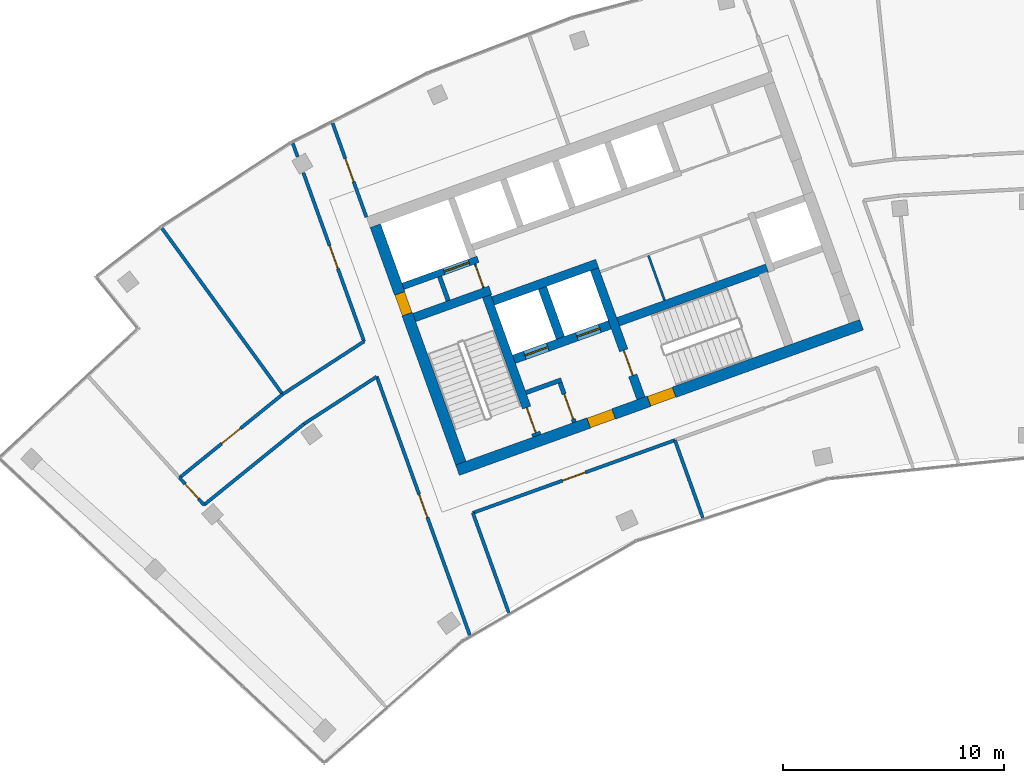
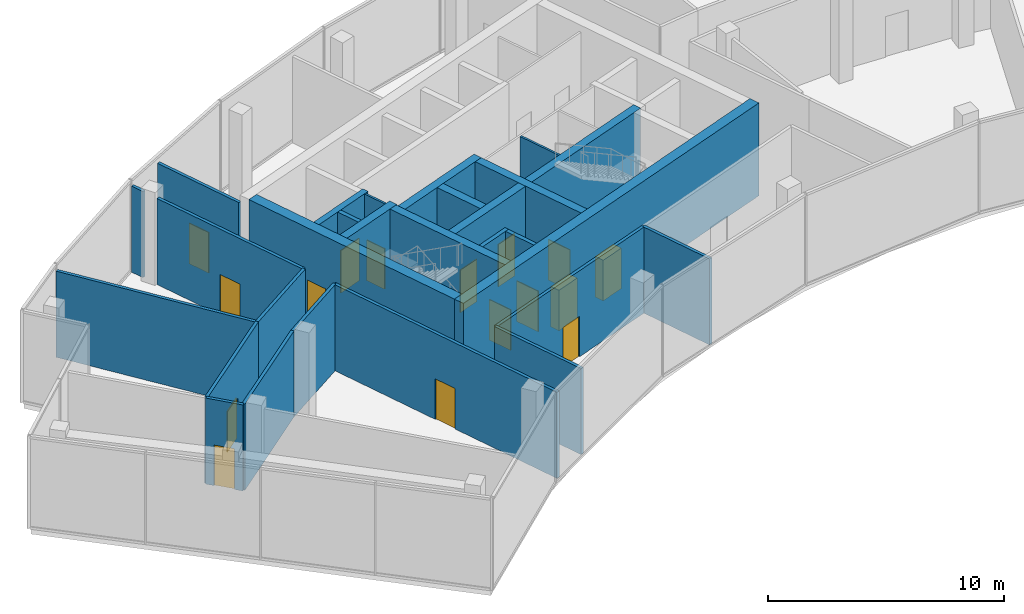
# One storey, part 12 of 17: 27 walls, 16 doors, 16 openings.
"""IFC4 building model written with IfcOpenShell, lengths in metres."""

from ifc_helpers import new_model, si_unit, direction, frame, frame_2d, origin, place, context, subcontext, project, spatial, rectangle, extrude, material, layer, layer_set, type_object, element, fill, save


model = new_model("IFC4")

# Units and contexts
model_context = context("Model", 3, precision=1e-05, world=origin(), true_north=direction((0.0, 1.0)))
body_context = subcontext(model_context, "Body", "Model", "MODEL_VIEW")
ifc_project = project(units=[si_unit("LENGTHUNIT", "METRE"), si_unit("AREAUNIT", "SQUARE_METRE"), si_unit("VOLUMEUNIT", "CUBIC_METRE"), si_unit("PLANEANGLEUNIT", "RADIAN"), si_unit("MASSUNIT", "GRAM", prefix="KILO")], contexts=[model_context])

# Site, building, storey
site_placement = place(None, origin())
site = spatial("IfcSite", under=ifc_project, at=site_placement, CompositionType="ELEMENT")
building_placement = place(site_placement, origin())
building = spatial("IfcBuilding", under=site, at=building_placement, Name="Stone Belt Terrace Tower", CompositionType="ELEMENT")
storey_placement = place(building_placement, frame((0.0, 0.0, 313.39990234375)))
storey = spatial("IfcBuildingStorey", under=building, at=storey_placement, Name="L76", CompositionType="ELEMENT", Elevation=313.39990234375)

# Wall, opening, door
ifc_material_1 = material(Name="Plasterboard partition")
ifc_layer_1 = layer(ifc_material_1, 0.10009765625)
ifc_layer_set_1 = layer_set([ifc_layer_1], Name="Core partition 100")
wall_type_1 = type_object("IfcWallType", Name="Core partition 100", PredefinedType="PARTITIONING", material=ifc_layer_set_1)
wall_1_placement = place(storey_placement, frame((-24.555908203125, 51.10400390625, 0.0), z_axis=(0.0, 0.0, 1.0), x_axis=(-0.338621735342, 0.94092258999, 0.0)))
wall_1 = element("IfcWall", 1, at=wall_1_placement, inside=storey, type_object=wall_type_1, Name="Core A wall", PredefinedType="PARTITIONING", context=body_context, shape_type="SweptSolid", body=[
    extrude(rectangle(XDim=1.14990234375, YDim=0.10009765625, at=frame_2d((0.574951171875, 0.0))), origin(), (0.0, 0.0, 1.0), 4.4501953125),
])
opening_1_placement = place(wall_1_placement, frame((0.050048828125, 0.0, 0.0)))
opening_1 = element("IfcOpeningElement", 2, at=opening_1_placement, cuts=wall_1, Name="Opening L76-C07", PredefinedType="OPENING", context=body_context, shape_type="SweptSolid", body=[
    extrude(rectangle(XDim=1.0, YDim=2.10009765625, at=frame_2d((0.5, 1.050048828125))), frame((0.0, 0.06005859375, 0.0), z_axis=(0.0, -1.0, 0.0), x_axis=(1.0, 0.0, 0.0)), (0.0, 0.0, 1.0), 0.1201171875),
])
ifc_material_2 = material(Name="Timber door leaf", Category="wood")
door_type_1 = type_object("IfcDoorType", Name="Core room door 1000", OperationType="SINGLE_SWING_LEFT", PredefinedType="DOOR", material=ifc_material_2)
door_1_placement = place(opening_1_placement, origin())
door_1 = element("IfcDoor", 3, at=door_1_placement, inside=storey, type_object=door_type_1, Name="Service lift lobby door core A", OperationType="SINGLE_SWING_RIGHT", OverallHeight=2.10009765625, OverallWidth=1.0, PredefinedType="DOOR", context=body_context, shape_type="SweptSolid", body=[
    extrude(rectangle(XDim=1.0, YDim=2.10009765625, at=frame_2d((0.5, 1.050048828125))), frame((0.0, 0.02490234375, 0.0), z_axis=(0.0, -1.0, 0.0), x_axis=(1.0, 0.0, 0.0)), (0.0, 0.0, 1.0), 0.050048828125),
])
fill(opening_1, door_1)

# Wall
wall_2_placement = place(storey_placement, frame((-16.38134765625, 50.53857421875, 0.0), z_axis=(0.0, 0.0, 1.0), x_axis=(-0.338622960269, 0.940922149159, 0.0)))
element("IfcWall", 4, at=wall_2_placement, inside=storey, type_object=wall_type_1, Name="Core A wall", PredefinedType="PARTITIONING", context=body_context, shape_type="SweptSolid", body=[
    extrude(rectangle(XDim=2.14990234375, YDim=0.10009765625, at=frame_2d((1.074951171875, 0.0))), origin(), (0.0, 0.0, 1.0), 4.4501953125),
])

# Wall, openings, doors
ifc_material_3 = material(Name="Concrete B60", Category="concrete")
ifc_layer_2 = layer(ifc_material_3, 0.5)
ifc_layer_set_2 = layer_set([ifc_layer_2], Name="Core wall 500 B60")
wall_type_2 = type_object("IfcWallType", Name="Core wall 500 B60", PredefinedType="SHEAR", material=ifc_layer_set_2)
wall_3_placement = place(storey_placement, frame((-25.736572265625, 42.867431640625, 0.0), z_axis=(0.0, 0.0, 1.0), x_axis=(0.940917407757, 0.338636134781, 0.0)))
wall_3 = element("IfcWall", 5, at=wall_3_placement, inside=storey, type_object=wall_type_2, Name="Core A wall concave L76", PredefinedType="SHEAR", context=body_context, shape_type="SweptSolid", body=[
    extrude(rectangle(XDim=19.400146484375, YDim=0.5, at=frame_2d((9.7001953125, 0.0))), origin(), (0.0, 0.0, 1.0), 4.800048828125),
])
opening_2_placement = place(wall_3_placement, frame((6.300048828125, 0.0, 0.0)))
opening_2 = element("IfcOpeningElement", 6, at=opening_2_placement, cuts=wall_3, Name="Opening L76-C11", PredefinedType="OPENING", context=body_context, shape_type="SweptSolid", body=[
    extrude(rectangle(XDim=1.199951171875, YDim=2.10009765625, at=frame_2d((0.60009765625, 1.050048828125))), frame((0.0, 0.260009765625, 0.0), z_axis=(0.0, -1.0, 0.0), x_axis=(1.0, 0.0, 0.0)), (0.0, 0.0, 1.0), 0.52001953125),
])
opening_3_placement = place(wall_3_placement, frame((9.2001953125, 0.0, 0.0)))
opening_3 = element("IfcOpeningElement", 7, at=opening_3_placement, cuts=wall_3, Name="Opening L76-C13", PredefinedType="OPENING", context=body_context, shape_type="SweptSolid", body=[
    extrude(rectangle(XDim=1.199951171875, YDim=2.10009765625, at=frame_2d((0.60009765625, 1.050048828125))), frame((0.0, 0.260009765625, 0.0), z_axis=(0.0, -1.0, 0.0), x_axis=(1.0, 0.0, 0.0)), (0.0, 0.0, 1.0), 0.52001953125),
])
ifc_material_4 = material(Name="Steel door leaf", Category="steel")
door_type_2 = type_object("IfcDoorType", Name="Fire-fighting lobby door 1200", OperationType="SINGLE_SWING_LEFT", PredefinedType="DOOR", material=ifc_material_4)
door_2_placement = place(opening_2_placement, origin())
door_2 = element("IfcDoor", 8, at=door_2_placement, inside=storey, type_object=door_type_2, Name="Fire-fighting lobby door core A", OperationType="SINGLE_SWING_RIGHT", OverallHeight=2.10009765625, OverallWidth=1.199951171875, PredefinedType="DOOR", context=body_context, shape_type="SweptSolid", body=[
    extrude(rectangle(XDim=1.199951171875, YDim=2.10009765625, at=frame_2d((0.60009765625, 1.050048828125))), frame((0.0, 0.22998046875, 0.0), z_axis=(0.0, -1.0, 0.0), x_axis=(1.0, 0.0, 0.0)), (0.0, 0.0, 1.0), 0.4599609375),
])
fill(opening_2, door_2)
door_type_3 = type_object("IfcDoorType", Name="Stair door 1200", OperationType="SINGLE_SWING_LEFT", PredefinedType="DOOR", material=ifc_material_4)
door_3_placement = place(opening_3_placement, origin())
door_3 = element("IfcDoor", 9, at=door_3_placement, inside=storey, type_object=door_type_3, Name="Stair 2 exit door core A", OperationType="SINGLE_SWING_LEFT", OverallHeight=2.10009765625, OverallWidth=1.199951171875, PredefinedType="DOOR", context=body_context, shape_type="SweptSolid", body=[
    extrude(rectangle(XDim=1.199951171875, YDim=2.10009765625, at=frame_2d((0.60009765625, 1.050048828125))), frame((0.0, 0.22998046875, 0.0), z_axis=(0.0, -1.0, 0.0), x_axis=(1.0, 0.0, 0.0)), (0.0, 0.0, 1.0), 0.4599609375),
])
fill(opening_3, door_3)

# Wall, opening, door
wall_4_placement = place(storey_placement, frame((-25.5859375, 43.1875, 0.0), z_axis=(0.0, 0.0, 1.0), x_axis=(-0.338632255135, 0.940918804033, 0.0)))
wall_4 = element("IfcWall", 10, at=wall_4_placement, inside=storey, type_object=wall_type_2, Name="Core A wall end_a L76", PredefinedType="SHEAR", context=body_context, shape_type="SweptSolid", body=[
    extrude(rectangle(XDim=11.39990234375, YDim=0.5, at=frame_2d((5.699951171875, 0.0))), origin(), (0.0, 0.0, 1.0), 4.800048828125),
])
opening_4_placement = place(wall_4_placement, frame((7.150146484375, 0.0, 0.0)))
opening_4 = element("IfcOpeningElement", 11, at=opening_4_placement, cuts=wall_4, Name="Opening L76-C06", PredefinedType="OPENING", context=body_context, shape_type="SweptSolid", body=[
    extrude(rectangle(XDim=1.0, YDim=2.10009765625, at=frame_2d((0.5, 1.050048828125))), frame((0.0, 0.260009765625, 0.0), z_axis=(0.0, -1.0, 0.0), x_axis=(1.0, 0.0, 0.0)), (0.0, 0.0, 1.0), 0.52001953125),
])
door_4_placement = place(opening_4_placement, origin())
door_4 = element("IfcDoor", 12, at=door_4_placement, inside=storey, type_object=door_type_1, Name="Door to Plant riser room core A", OperationType="SINGLE_SWING_LEFT", OverallHeight=2.10009765625, OverallWidth=1.0, PredefinedType="DOOR", context=body_context, shape_type="SweptSolid", body=[
    extrude(rectangle(XDim=1.0, YDim=2.10009765625, at=frame_2d((0.5, 1.050048828125))), frame((0.0, 0.22998046875, 0.0), z_axis=(0.0, -1.0, 0.0), x_axis=(1.0, 0.0, 0.0)), (0.0, 0.0, 1.0), 0.4599609375),
])
fill(opening_4, door_4)

# Walls
ifc_material_5 = material(Name="Concrete B80", Category="concrete")
ifc_layer_3 = layer(ifc_material_5, 0.39990234375)
ifc_layer_set_3 = layer_set([ifc_layer_3], Name="Fire-fighting lift shaft wall 400")
wall_type_3 = type_object("IfcWallType", Name="Fire-fighting lift shaft wall 400", PredefinedType="SHEAR", material=ifc_layer_set_3)
wall_5_placement = place(storey_placement, frame((-24.130615234375, 50.512939453125, 0.0), z_axis=(0.0, 0.0, 1.0), x_axis=(0.94091168377, 0.338652038744, 0.0)))
element("IfcWall", 13, at=wall_5_placement, inside=storey, type_object=wall_type_3, Name="Core A wall", PredefinedType="SHEAR", context=body_context, shape_type="SweptSolid", body=[
    extrude(rectangle(XDim=5.000244140625, YDim=0.39990234375, at=frame_2d((2.5, 0.0))), origin(), (0.0, 0.0, 1.0), 4.4501953125),
])
wall_6_placement = place(storey_placement, frame((-21.0859375, 48.845458984375, 0.0), z_axis=(0.0, 0.0, 1.0), x_axis=(-0.338629416206, 0.940919825745, 0.0)))
element("IfcWall", 14, at=wall_6_placement, inside=storey, type_object=wall_type_3, Name="Core A wall", PredefinedType="SHEAR", context=body_context, shape_type="SweptSolid", body=[
    extrude(rectangle(XDim=2.400146484375, YDim=0.39990234375, at=frame_2d((1.2001953125, 0.0))), origin(), (0.0, 0.0, 1.0), 4.4501953125),
])

# Wall, opening, door
ifc_layer_4 = layer(ifc_material_5, 0.300048828125)
ifc_layer_set_4 = layer_set([ifc_layer_4], Name="Lift shaft wall 300")
wall_type_4 = type_object("IfcWallType", Name="Lift shaft wall 300", PredefinedType="SHEAR", material=ifc_layer_set_4)
wall_7_placement = place(storey_placement, frame((-28.195068359375, 51.17578125, 0.0), z_axis=(0.0, 0.0, 1.0), x_axis=(0.940901243567, 0.338681044427, 0.0)))
wall_7 = element("IfcWall", 15, at=wall_7_placement, inside=storey, type_object=wall_type_4, Name="Core A wall", PredefinedType="SHEAR", context=body_context, shape_type="SweptSolid", body=[
    extrude(rectangle(XDim=3.599853515625, YDim=0.300048828125, at=frame_2d((1.7998046875, 0.0))), origin(), (0.0, 0.0, 1.0), 4.4501953125),
])
opening_5_placement = place(wall_7_placement, frame((1.969970703125, 0.0, 0.0)))
opening_5 = element("IfcOpeningElement", 16, at=opening_5_placement, cuts=wall_7, Name="Opening L76-LD03", PredefinedType="OPENING", context=body_context, shape_type="SweptSolid", body=[
    extrude(rectangle(XDim=1.199951171875, YDim=2.199951171875, at=frame_2d((0.60009765625, 1.10009765625))), frame((0.0, 0.159912109375, 0.0), z_axis=(0.0, -1.0, 0.0), x_axis=(1.0, 0.0, 0.0)), (0.0, 0.0, 1.0), 0.320068359375),
])
ifc_material_6 = material(Name="Stainless steel door leaf", Category="steel")
door_type_4 = type_object("IfcDoorType", Name="Landing door 1200", OperationType="SLIDING_TO_LEFT", PredefinedType="DOOR", material=ifc_material_6)
door_5_placement = place(opening_5_placement, origin())
door_5 = element("IfcDoor", 17, at=door_5_placement, inside=storey, type_object=door_type_4, Name="Landing door SV1 core A", OperationType="SLIDING_TO_LEFT", OverallHeight=2.199951171875, OverallWidth=1.199951171875, PredefinedType="DOOR", context=body_context, shape_type="SweptSolid", body=[
    extrude(rectangle(XDim=1.199951171875, YDim=2.199951171875, at=frame_2d((0.60009765625, 1.10009765625))), frame((0.0, 0.02490234375, 0.0), z_axis=(0.0, -1.0, 0.0), x_axis=(1.0, 0.0, 0.0)), (0.0, 0.0, 1.0), 0.050048828125),
])
fill(opening_5, door_5)

# Wall
ifc_material_7 = material(Name="Gypsum board partition")
ifc_layer_5 = layer(ifc_material_7, 0.14990234375)
ifc_layer_set_5 = layer_set([ifc_layer_5], Name="PARTITION 150 EI 60")
wall_type_5 = type_object("IfcWallType", Name="PARTITION 150 EI 60", PredefinedType="PARTITIONING", material=ifc_layer_set_5)
wall_8_placement = place(storey_placement, frame((-25.0439453125, 40.945068359375, 0.0), z_axis=(0.0, 0.0, 1.0), x_axis=(0.338650962894, -0.940912070988, 0.0)))
element("IfcWall", 18, at=wall_8_placement, inside=storey, type_object=wall_type_5, Name="L76/wall/i001", PredefinedType="PARTITIONING", context=body_context, shape_type="SweptSolid", body=[
    extrude(rectangle(XDim=4.795654296875, YDim=0.14990234375, at=frame_2d((2.39794921875, 0.0))), origin(), (0.0, 0.0, 1.0), 4.4501953125),
])

# Wall, opening, door
wall_9_placement = place(storey_placement, frame((-31.3779296875, 58.544189453125, 0.0), z_axis=(0.0, 0.0, 1.0), x_axis=(0.338516288838, -0.940960531686, 0.0)))
wall_9 = element("IfcWall", 19, at=wall_9_placement, inside=storey, type_object=wall_type_5, Name="L76/wall/i002", PredefinedType="PARTITIONING", context=body_context, shape_type="SweptSolid", body=[
    extrude(rectangle(XDim=4.510498046875, YDim=0.14990234375, at=frame_2d((2.25537109375, 0.0))), origin(), (0.0, 0.0, 1.0), 4.4501953125),
])
opening_6_placement = place(wall_9_placement, frame((1.705078125, 0.0, 0.0)))
opening_6 = element("IfcOpeningElement", 20, at=opening_6_placement, cuts=wall_9, Name="Opening D-C76-03", PredefinedType="OPENING", context=body_context, shape_type="SweptSolid", body=[
    extrude(rectangle(XDim=1.10009765625, YDim=2.10009765625, at=frame_2d((0.550048828125, 1.050048828125))), frame((0.0, 0.0849609375, 0.0), z_axis=(0.0, -1.0, 0.0), x_axis=(1.0, 0.0, 0.0)), (0.0, 0.0, 1.0), 0.169921875),
])
ifc_material_8 = material(Name="Steel fire door set", Category="steel")
door_type_5 = type_object("IfcDoorType", Name="SERVICE ROOM DOOR 1100 X 2100", OperationType="NOTDEFINED", PredefinedType="DOOR", material=ifc_material_8)
door_6_placement = place(opening_6_placement, origin())
door_6 = element("IfcDoor", 21, at=door_6_placement, inside=storey, type_object=door_type_5, Name="L76/door/i03", OperationType="SINGLE_SWING_RIGHT", OverallHeight=2.10009765625, OverallWidth=1.10009765625, PredefinedType="DOOR", context=body_context, shape_type="SweptSolid", body=[
    extrude(rectangle(XDim=1.10009765625, YDim=2.10009765625, at=frame_2d((0.550048828125, 1.050048828125))), frame((0.0, 0.02490234375, 0.0), z_axis=(0.0, -1.0, 0.0), x_axis=(1.0, 0.0, 0.0)), (0.0, 0.0, 1.0), 0.050048828125),
])
fill(opening_6, door_6)

wall_10_placement = place(storey_placement, frame((-25.179931640625, 35.41650390625, 0.0), z_axis=(0.0, 0.0, 1.0), x_axis=(-0.338602488356, 0.940929516425, 0.0)))
wall_10 = element("IfcWall", 22, at=wall_10_placement, inside=storey, type_object=wall_type_5, Name="L76/wall/i003", PredefinedType="PARTITIONING", context=body_context, shape_type="SweptSolid", body=[
    extrude(rectangle(XDim=12.416015625, YDim=0.14990234375, at=frame_2d((6.2080078125, 0.0))), origin(), (0.0, 0.0, 1.0), 4.4501953125),
])
opening_7_placement = place(wall_10_placement, frame((5.657958984375, 0.0, 0.0)))
opening_7 = element("IfcOpeningElement", 23, at=opening_7_placement, cuts=wall_10, Name="Opening D-C76-10", PredefinedType="OPENING", context=body_context, shape_type="SweptSolid", body=[
    extrude(rectangle(XDim=1.10009765625, YDim=2.10009765625, at=frame_2d((0.550048828125, 1.050048828125))), frame((0.0, 0.0849609375, 0.0), z_axis=(0.0, -1.0, 0.0), x_axis=(1.0, 0.0, 0.0)), (0.0, 0.0, 1.0), 0.169921875),
])
door_7_placement = place(opening_7_placement, origin())
door_7 = element("IfcDoor", 24, at=door_7_placement, inside=storey, type_object=door_type_5, Name="L76/door/i10", OperationType="SINGLE_SWING_RIGHT", OverallHeight=2.10009765625, OverallWidth=1.10009765625, PredefinedType="DOOR", context=body_context, shape_type="SweptSolid", body=[
    extrude(rectangle(XDim=1.10009765625, YDim=2.10009765625, at=frame_2d((0.550048828125, 1.050048828125))), frame((0.0, 0.02490234375, 0.0), z_axis=(0.0, -1.0, 0.0), x_axis=(1.0, 0.0, 0.0)), (0.0, 0.0, 1.0), 0.050048828125),
])
fill(opening_7, door_7)

wall_11_placement = place(storey_placement, frame((-29.9541015625, 48.680908203125, 0.0), z_axis=(0.0, 0.0, 1.0), x_axis=(-0.33861488448, 0.940925055468, 0.0)))
wall_11 = element("IfcWall", 25, at=wall_11_placement, inside=storey, type_object=wall_type_5, Name="L76/wall/i004", PredefinedType="PARTITIONING", context=body_context, shape_type="SweptSolid", body=[
    extrude(rectangle(XDim=8.10107421875, YDim=0.14990234375, at=frame_2d((4.050537109375, 0.0))), origin(), (0.0, 0.0, 1.0), 4.4501953125),
])
opening_8_placement = place(wall_11_placement, frame((3.50048828125, 0.0, 0.0)))
opening_8 = element("IfcOpeningElement", 26, at=opening_8_placement, cuts=wall_11, Name="Opening D-C76-11", PredefinedType="OPENING", context=body_context, shape_type="SweptSolid", body=[
    extrude(rectangle(XDim=1.10009765625, YDim=2.10009765625, at=frame_2d((0.550048828125, 1.050048828125))), frame((0.0, 0.0849609375, 0.0), z_axis=(0.0, -1.0, 0.0), x_axis=(1.0, 0.0, 0.0)), (0.0, 0.0, 1.0), 0.169921875),
])
door_8_placement = place(opening_8_placement, origin())
door_8 = element("IfcDoor", 27, at=door_8_placement, inside=storey, type_object=door_type_5, Name="L76/door/i11", OperationType="SINGLE_SWING_RIGHT", OverallHeight=2.10009765625, OverallWidth=1.10009765625, PredefinedType="DOOR", context=body_context, shape_type="SweptSolid", body=[
    extrude(rectangle(XDim=1.10009765625, YDim=2.10009765625, at=frame_2d((0.550048828125, 1.050048828125))), frame((0.0, 0.02490234375, 0.0), z_axis=(0.0, -1.0, 0.0), x_axis=(1.0, 0.0, 0.0)), (0.0, 0.0, 1.0), 0.050048828125),
])
fill(opening_8, door_8)

# Wall
wall_12_placement = place(storey_placement, frame((-32.958740234375, 57.030029296875, 0.0), z_axis=(0.0, 0.0, 1.0), x_axis=(-0.33837942702, 0.941009757319, 0.0)))
element("IfcWall", 28, at=wall_12_placement, inside=storey, type_object=wall_type_5, Name="L76/wall/i005", PredefinedType="PARTITIONING", context=body_context, shape_type="SweptSolid", body=[
    extrude(rectangle(XDim=0.6357421875, YDim=0.14990234375, at=frame_2d((0.31787109375, 0.0))), origin(), (0.0, 0.0, 1.0), 4.4501953125),
])

# Wall, opening, door
wall_13_placement = place(storey_placement, frame((-15.908935546875, 44.22509765625, 0.0), z_axis=(0.0, 0.0, 1.0), x_axis=(-0.940945435026, -0.338558249498, 0.0)))
wall_13 = element("IfcWall", 29, at=wall_13_placement, inside=storey, type_object=wall_type_5, Name="L76/wall/i011", PredefinedType="PARTITIONING", context=body_context, shape_type="SweptSolid", body=[
    extrude(rectangle(XDim=9.706298828125, YDim=0.14990234375, at=frame_2d((4.85302734375, 0.0))), origin(), (0.0, 0.0, 1.0), 4.4501953125),
])
opening_9_placement = place(wall_13_placement, frame((4.302978515625, 0.0, 0.0)))
opening_9 = element("IfcOpeningElement", 30, at=opening_9_placement, cuts=wall_13, Name="Opening D-C76-01", PredefinedType="OPENING", context=body_context, shape_type="SweptSolid", body=[
    extrude(rectangle(XDim=1.10009765625, YDim=2.10009765625, at=frame_2d((0.550048828125, 1.050048828125))), frame((0.0, 0.0849609375, 0.0), z_axis=(0.0, -1.0, 0.0), x_axis=(1.0, 0.0, 0.0)), (0.0, 0.0, 1.0), 0.169921875),
])
door_9_placement = place(opening_9_placement, origin())
door_9 = element("IfcDoor", 31, at=door_9_placement, inside=storey, type_object=door_type_5, Name="L76/door/i01", OperationType="SINGLE_SWING_LEFT", OverallHeight=2.10009765625, OverallWidth=1.10009765625, PredefinedType="DOOR", context=body_context, shape_type="SweptSolid", body=[
    extrude(rectangle(XDim=1.10009765625, YDim=2.10009765625, at=frame_2d((0.550048828125, 1.050048828125))), frame((0.0, 0.02490234375, 0.0), z_axis=(0.0, -1.0, 0.0), x_axis=(1.0, 0.0, 0.0)), (0.0, 0.0, 1.0), 0.050048828125),
])
fill(opening_9, door_9)

# Wall
wall_14_placement = place(storey_placement, frame((-15.9150390625, 44.222900390625, 0.0), z_axis=(0.0, 0.0, 1.0), x_axis=(0.338565939122, -0.940942668215, 0.0)))
element("IfcWall", 32, at=wall_14_placement, inside=storey, type_object=wall_type_5, Name="L76/wall/i013", PredefinedType="PARTITIONING", context=body_context, shape_type="SweptSolid", body=[
    extrude(rectangle(XDim=3.716552734375, YDim=0.14990234375, at=frame_2d((1.8583984375, 0.0))), origin(), (0.0, 0.0, 1.0), 4.4501953125),
])

# Wall, opening, door
wall_15_placement = place(storey_placement, frame((-37.18310546875, 41.294921875, 0.0), z_axis=(0.0, 0.0, 1.0), x_axis=(-0.669037778615, 0.743228397456, 0.0)))
wall_15 = element("IfcWall", 33, at=wall_15_placement, inside=storey, type_object=wall_type_5, Name="L76/wall/i028", PredefinedType="PARTITIONING", context=body_context, shape_type="SweptSolid", body=[
    extrude(rectangle(XDim=1.661865234375, YDim=0.14990234375, at=frame_2d((0.8310546875, 0.0))), origin(), (0.0, 0.0, 1.0), 4.4501953125),
])
opening_10_placement = place(wall_15_placement, frame((0.380859375, 0.0, 0.0)))
opening_10 = element("IfcOpeningElement", 34, at=opening_10_placement, cuts=wall_15, Name="Opening D-C76-09", PredefinedType="OPENING", context=body_context, shape_type="SweptSolid", body=[
    extrude(rectangle(XDim=0.89990234375, YDim=2.10009765625, at=frame_2d((0.449951171875, 1.050048828125))), frame((0.0, 0.0849609375, 0.0), z_axis=(0.0, -1.0, 0.0), x_axis=(1.0, 0.0, 0.0)), (0.0, 0.0, 1.0), 0.169921875),
])
door_type_6 = type_object("IfcDoorType", Name="SERVICE ROOM DOOR 900 X 2100", OperationType="NOTDEFINED", PredefinedType="DOOR", material=ifc_material_8)
door_10_placement = place(opening_10_placement, origin())
door_10 = element("IfcDoor", 35, at=door_10_placement, inside=storey, type_object=door_type_6, Name="L76/door/i09", OperationType="SINGLE_SWING_RIGHT", OverallHeight=2.10009765625, OverallWidth=0.89990234375, PredefinedType="DOOR", context=body_context, shape_type="SweptSolid", body=[
    extrude(rectangle(XDim=0.89990234375, YDim=2.10009765625, at=frame_2d((0.449951171875, 1.050048828125))), frame((0.0, 0.02490234375, 0.0), z_axis=(0.0, -1.0, 0.0), x_axis=(1.0, 0.0, 0.0)), (0.0, 0.0, 1.0), 0.050048828125),
])
fill(opening_10, door_10)

# Walls
wall_16_placement = place(storey_placement, frame((-29.382080078125, 47.093017578125, 0.0), z_axis=(0.0, 0.0, 1.0), x_axis=(-0.838732696811, -0.544543353003, 0.0)))
element("IfcWall", 36, at=wall_16_placement, inside=storey, type_object=wall_type_5, Name="L76/wall/i031", PredefinedType="PARTITIONING", context=body_context, shape_type="SweptSolid", body=[
    extrude(rectangle(XDim=3.915283203125, YDim=0.14990234375, at=frame_2d((1.95751953125, 0.0))), origin(), (0.0, 0.0, 1.0), 4.4501953125),
])
wall_17_placement = place(storey_placement, frame((-32.666015625, 44.9609375, 0.0), z_axis=(0.0, 0.0, 1.0), x_axis=(-0.777157880909, -0.629305671467, 0.0)))
element("IfcWall", 37, at=wall_17_placement, inside=storey, type_object=wall_type_5, Name="L76/wall/i032", PredefinedType="PARTITIONING", context=body_context, shape_type="SweptSolid", body=[
    extrude(rectangle(XDim=5.8173828125, YDim=0.14990234375, at=frame_2d((2.90869140625, 0.0))), origin(), (0.0, 0.0, 1.0), 4.4501953125),
])
wall_18_placement = place(storey_placement, frame((-33.635986328125, 46.2958984375, 0.0), z_axis=(0.0, 0.0, 1.0), x_axis=(0.838632969858, 0.544696926618, 0.0)))
element("IfcWall", 38, at=wall_18_placement, inside=storey, type_object=wall_type_5, Name="L76/wall/i033", PredefinedType="PARTITIONING", context=body_context, shape_type="SweptSolid", body=[
    extrude(rectangle(XDim=4.387939453125, YDim=0.14990234375, at=frame_2d((2.19384765625, 0.0))), origin(), (0.0, 0.0, 1.0), 4.4501953125),
])

# Wall, opening, door
wall_19_placement = place(storey_placement, frame((-38.291015625, 42.52587890625, 0.0), z_axis=(0.0, 0.0, 1.0), x_axis=(0.777109127033, 0.629365875054, 0.0)))
wall_19 = element("IfcWall", 39, at=wall_19_placement, inside=storey, type_object=wall_type_5, Name="L76/wall/i034", PredefinedType="PARTITIONING", context=body_context, shape_type="SweptSolid", body=[
    extrude(rectangle(XDim=5.990234375, YDim=0.14990234375, at=frame_2d((2.9951171875, 0.0))), origin(), (0.0, 0.0, 1.0), 4.4501953125),
])
opening_11_placement = place(wall_19_placement, frame((2.445068359375, 0.0, 0.0)))
opening_11 = element("IfcOpeningElement", 40, at=opening_11_placement, cuts=wall_19, Name="Opening D-C76-12", PredefinedType="OPENING", context=body_context, shape_type="SweptSolid", body=[
    extrude(rectangle(XDim=1.10009765625, YDim=2.10009765625, at=frame_2d((0.550048828125, 1.050048828125))), frame((0.0, 0.0849609375, 0.0), z_axis=(0.0, -1.0, 0.0), x_axis=(1.0, 0.0, 0.0)), (0.0, 0.0, 1.0), 0.169921875),
])
door_11_placement = place(opening_11_placement, origin())
door_11 = element("IfcDoor", 41, at=door_11_placement, inside=storey, type_object=door_type_5, Name="L76/door/i12", OperationType="SINGLE_SWING_LEFT", OverallHeight=2.10009765625, OverallWidth=1.10009765625, PredefinedType="DOOR", context=body_context, shape_type="SweptSolid", body=[
    extrude(rectangle(XDim=1.10009765625, YDim=2.10009765625, at=frame_2d((0.550048828125, 1.050048828125))), frame((0.0, 0.02490234375, 0.0), z_axis=(0.0, -1.0, 0.0), x_axis=(1.0, 0.0, 0.0)), (0.0, 0.0, 1.0), 0.050048828125),
])
fill(opening_11, door_11)

# Walls
wall_20_placement = place(storey_placement, frame((-33.635986328125, 46.2958984375, 0.0), z_axis=(0.0, 0.0, 1.0), x_axis=(-0.587785060363, 0.80901713382, 0.0)))
element("IfcWall", 42, at=wall_20_placement, inside=storey, type_object=wall_type_5, Name="L76/wall/i035", PredefinedType="PARTITIONING", context=body_context, shape_type="SweptSolid", body=[
    extrude(rectangle(XDim=9.275390625, YDim=0.14990234375, at=frame_2d((4.6376953125, 0.0))), origin(), (0.0, 0.0, 1.0), 4.4501953125),
])
ifc_material_9 = material(Name="Concrete masonry block", Category="masonry")
ifc_layer_6 = layer(ifc_material_9, 0.199951171875)
ifc_layer_set_6 = layer_set([ifc_layer_6], Name="Rated lobby wall 200")
wall_type_6 = type_object("IfcWallType", Name="Rated lobby wall 200", PredefinedType="PARTITIONING", material=ifc_layer_set_6)
wall_21_placement = place(storey_placement, frame((-26.1552734375, 50.5283203125, 0.0), z_axis=(0.0, 0.0, 1.0), x_axis=(-0.338621735342, 0.94092258999, 0.0)))
element("IfcWall", 43, at=wall_21_placement, inside=storey, type_object=wall_type_6, Name="Core A wall", PredefinedType="PARTITIONING", context=body_context, shape_type="SweptSolid", body=[
    extrude(rectangle(XDim=1.14990234375, YDim=0.199951171875, at=frame_2d((0.574951171875, 0.0))), origin(), (0.0, 0.0, 1.0), 4.4501953125),
])
wall_22_placement = place(storey_placement, frame((-22.640625, 46.373046875, 0.0), z_axis=(0.0, 0.0, 1.0), x_axis=(0.940966110313, 0.338500781747, 0.0)))
element("IfcWall", 44, at=wall_22_placement, inside=storey, type_object=wall_type_6, Name="Core A wall", PredefinedType="PARTITIONING", context=body_context, shape_type="SweptSolid", body=[
    extrude(rectangle(XDim=1.699951171875, YDim=0.199951171875, at=frame_2d((0.85009765625, 0.0))), origin(), (0.0, 0.0, 1.0), 4.4501953125),
])

# Wall, opening, door
wall_23_placement = place(storey_placement, frame((-20.4580078125, 45.032958984375, 0.0), z_axis=(0.0, 0.0, 1.0), x_axis=(-0.338573865316, 0.940939816208, 0.0)))
wall_23 = element("IfcWall", 45, at=wall_23_placement, inside=storey, type_object=wall_type_6, Name="Core A wall", PredefinedType="PARTITIONING", context=body_context, shape_type="SweptSolid", body=[
    extrude(rectangle(XDim=1.900146484375, YDim=0.199951171875, at=frame_2d((0.9501953125, 0.0))), origin(), (0.0, 0.0, 1.0), 4.4501953125),
])
opening_12_placement = place(wall_23_placement, frame((0.14990234375, 0.0, 0.0)))
opening_12 = element("IfcOpeningElement", 46, at=opening_12_placement, cuts=wall_23, Name="Opening L76-C10", PredefinedType="OPENING", context=body_context, shape_type="SweptSolid", body=[
    extrude(rectangle(XDim=1.199951171875, YDim=2.10009765625, at=frame_2d((0.60009765625, 1.050048828125))), frame((0.0, 0.10986328125, 0.0), z_axis=(0.0, -1.0, 0.0), x_axis=(1.0, 0.0, 0.0)), (0.0, 0.0, 1.0), 0.219970703125),
])
door_12_placement = place(opening_12_placement, origin())
door_12 = element("IfcDoor", 47, at=door_12_placement, inside=storey, type_object=door_type_3, Name="Stair airlock door core A", OperationType="SINGLE_SWING_RIGHT", OverallHeight=2.10009765625, OverallWidth=1.199951171875, PredefinedType="DOOR", context=body_context, shape_type="SweptSolid", body=[
    extrude(rectangle(XDim=1.199951171875, YDim=2.10009765625, at=frame_2d((0.60009765625, 1.050048828125))), frame((0.0, 0.02490234375, 0.0), z_axis=(0.0, -1.0, 0.0), x_axis=(1.0, 0.0, 0.0)), (0.0, 0.0, 1.0), 0.050048828125),
])
fill(opening_12, door_12)

# Wall
ifc_layer_7 = layer(ifc_material_5, 0.39990234375)
ifc_layer_set_7 = layer_set([ifc_layer_7], Name="Stair enclosure wall 400")
wall_type_7 = type_object("IfcWallType", Name="Stair enclosure wall 400", PredefinedType="SHEAR", material=ifc_layer_set_7)
wall_24_placement = place(storey_placement, frame((-27.687255859375, 49.764404296875, 0.0), z_axis=(0.0, 0.0, 1.0), x_axis=(0.940918954884, 0.338631835981, 0.0)))
element("IfcWall", 48, at=wall_24_placement, inside=storey, type_object=wall_type_7, Name="Core A wall", PredefinedType="SHEAR", context=body_context, shape_type="SweptSolid", body=[
    extrude(rectangle(XDim=3.650146484375, YDim=0.39990234375, at=frame_2d((1.8251953125, 0.0))), origin(), (0.0, 0.0, 1.0), 4.4501953125),
])

# Wall, opening, door
wall_25_placement = place(storey_placement, frame((-22.151611328125, 44.42333984375, 0.0), z_axis=(0.0, 0.0, 1.0), x_axis=(-0.338625272931, 0.940921316866, 0.0)))
wall_25 = element("IfcWall", 49, at=wall_25_placement, inside=storey, type_object=wall_type_7, Name="Core A wall", PredefinedType="SHEAR", context=body_context, shape_type="SweptSolid", body=[
    extrude(rectangle(XDim=6.699951171875, YDim=0.39990234375, at=frame_2d((3.35009765625, 0.0))), origin(), (0.0, 0.0, 1.0), 4.4501953125),
])
opening_13_placement = place(wall_25_placement, frame((0.14990234375, 0.0, 0.0)))
opening_13 = element("IfcOpeningElement", 50, at=opening_13_placement, cuts=wall_25, Name="Opening L76-C09", PredefinedType="OPENING", context=body_context, shape_type="SweptSolid", body=[
    extrude(rectangle(XDim=1.199951171875, YDim=2.10009765625, at=frame_2d((0.60009765625, 1.050048828125))), frame((0.0, 0.2099609375, 0.0), z_axis=(0.0, -1.0, 0.0), x_axis=(1.0, 0.0, 0.0)), (0.0, 0.0, 1.0), 0.419921875),
])
door_13_placement = place(opening_13_placement, origin())
door_13 = element("IfcDoor", 51, at=door_13_placement, inside=storey, type_object=door_type_3, Name="Stair 1 door core A", OperationType="SINGLE_SWING_RIGHT", OverallHeight=2.10009765625, OverallWidth=1.199951171875, PredefinedType="DOOR", context=body_context, shape_type="SweptSolid", body=[
    extrude(rectangle(XDim=1.199951171875, YDim=2.10009765625, at=frame_2d((0.60009765625, 1.050048828125))), frame((0.0, 0.02490234375, 0.0), z_axis=(0.0, -1.0, 0.0), x_axis=(1.0, 0.0, 0.0)), (0.0, 0.0, 1.0), 0.050048828125),
])
fill(opening_13, door_13)

# Wall, openings, doors
wall_26_placement = place(storey_placement, frame((-23.182373046875, 47.87841796875, 0.0), z_axis=(0.0, 0.0, 1.0), x_axis=(0.940921731919, 0.338624119641, 0.0)))
wall_26 = element("IfcWall", 52, at=wall_26_placement, inside=storey, type_object=wall_type_7, Name="Core A wall", PredefinedType="SHEAR", context=body_context, shape_type="SweptSolid", body=[
    extrude(rectangle(XDim=12.14990234375, YDim=0.39990234375, at=frame_2d((6.074951171875, 0.0))), origin(), (0.0, 0.0, 1.0), 4.4501953125),
])
opening_14_placement = place(wall_26_placement, frame((0.52001953125, 0.0, 0.0)))
opening_14 = element("IfcOpeningElement", 53, at=opening_14_placement, cuts=wall_26, Name="Opening L76-LD01", PredefinedType="OPENING", context=body_context, shape_type="SweptSolid", body=[
    extrude(rectangle(XDim=1.10009765625, YDim=2.199951171875, at=frame_2d((0.550048828125, 1.10009765625))), frame((0.0, 0.2099609375, 0.0), z_axis=(0.0, -1.0, 0.0), x_axis=(1.0, 0.0, 0.0)), (0.0, 0.0, 1.0), 0.419921875),
])
opening_15_placement = place(wall_26_placement, frame((3.02001953125, 0.0, 0.0)))
opening_15 = element("IfcOpeningElement", 54, at=opening_15_placement, cuts=wall_26, Name="Opening L76-LD02", PredefinedType="OPENING", context=body_context, shape_type="SweptSolid", body=[
    extrude(rectangle(XDim=1.10009765625, YDim=2.199951171875, at=frame_2d((0.550048828125, 1.10009765625))), frame((0.0, 0.2099609375, 0.0), z_axis=(0.0, -1.0, 0.0), x_axis=(1.0, 0.0, 0.0)), (0.0, 0.0, 1.0), 0.419921875),
])
door_type_7 = type_object("IfcDoorType", Name="Landing door 1100", OperationType="SLIDING_TO_LEFT", PredefinedType="DOOR", material=ifc_material_6)
door_14_placement = place(opening_14_placement, origin())
door_14 = element("IfcDoor", 55, at=door_14_placement, inside=storey, type_object=door_type_7, Name="Landing door FF1 core A", OperationType="SLIDING_TO_LEFT", OverallHeight=2.199951171875, OverallWidth=1.10009765625, PredefinedType="DOOR", context=body_context, shape_type="SweptSolid", body=[
    extrude(rectangle(XDim=1.10009765625, YDim=2.199951171875, at=frame_2d((0.550048828125, 1.10009765625))), frame((0.0, 0.02490234375, 0.0), z_axis=(0.0, -1.0, 0.0), x_axis=(1.0, 0.0, 0.0)), (0.0, 0.0, 1.0), 0.050048828125),
])
fill(opening_14, door_14)
door_15_placement = place(opening_15_placement, origin())
door_15 = element("IfcDoor", 56, at=door_15_placement, inside=storey, type_object=door_type_7, Name="Landing door FF2 core A", OperationType="SLIDING_TO_LEFT", OverallHeight=2.199951171875, OverallWidth=1.10009765625, PredefinedType="DOOR", context=body_context, shape_type="SweptSolid", body=[
    extrude(rectangle(XDim=1.10009765625, YDim=2.199951171875, at=frame_2d((0.550048828125, 1.10009765625))), frame((0.0, 0.02490234375, 0.0), z_axis=(0.0, -1.0, 0.0), x_axis=(1.0, 0.0, 0.0)), (0.0, 0.0, 1.0), 0.050048828125),
])
fill(opening_15, door_15)

# Wall, opening, door
wall_27_placement = place(storey_placement, frame((-17.447021484375, 46.116455078125, 0.0), z_axis=(0.0, 0.0, 1.0), x_axis=(-0.33860791464, 0.940927563707, 0.0)))
wall_27 = element("IfcWall", 57, at=wall_27_placement, inside=storey, type_object=wall_type_7, Name="Core A wall", PredefinedType="SHEAR", context=body_context, shape_type="SweptSolid", body=[
    extrude(rectangle(XDim=6.199951171875, YDim=0.39990234375, at=frame_2d((3.10009765625, 0.0))), origin(), (0.0, 0.0, 1.0), 4.4501953125),
])
opening_16_placement = place(wall_27_placement, frame((1.10009765625, 0.0, 0.0)))
opening_16 = element("IfcOpeningElement", 58, at=opening_16_placement, cuts=wall_27, Name="Opening L76-C12", PredefinedType="OPENING", context=body_context, shape_type="SweptSolid", body=[
    extrude(rectangle(XDim=1.199951171875, YDim=2.10009765625, at=frame_2d((0.60009765625, 1.050048828125))), frame((0.0, 0.2099609375, 0.0), z_axis=(0.0, -1.0, 0.0), x_axis=(1.0, 0.0, 0.0)), (0.0, 0.0, 1.0), 0.419921875),
])
door_16_placement = place(opening_16_placement, origin())
door_16 = element("IfcDoor", 59, at=door_16_placement, inside=storey, type_object=door_type_3, Name="Stair 2 door core A", OperationType="SINGLE_SWING_RIGHT", OverallHeight=2.10009765625, OverallWidth=1.199951171875, PredefinedType="DOOR", context=body_context, shape_type="SweptSolid", body=[
    extrude(rectangle(XDim=1.199951171875, YDim=2.10009765625, at=frame_2d((0.60009765625, 1.050048828125))), frame((0.0, 0.02490234375, 0.0), z_axis=(0.0, -1.0, 0.0), x_axis=(1.0, 0.0, 0.0)), (0.0, 0.0, 1.0), 0.050048828125),
])
fill(opening_16, door_16)

save(model, "model.ifc")
